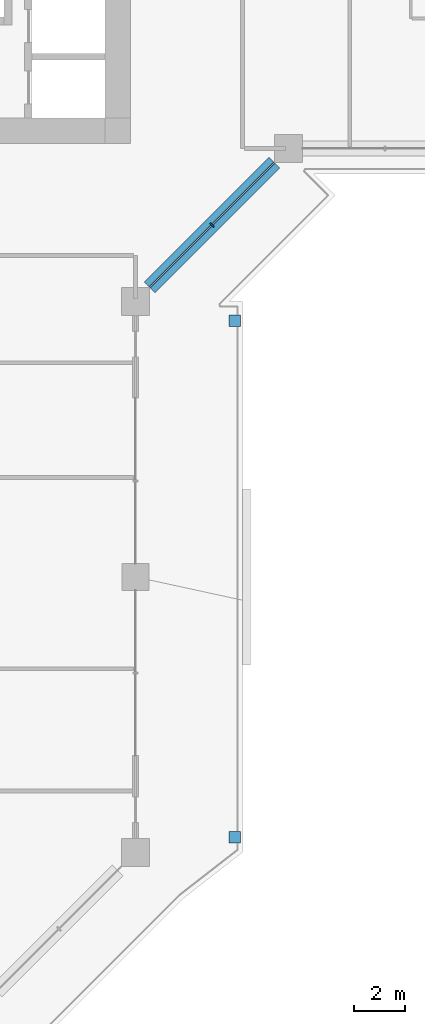
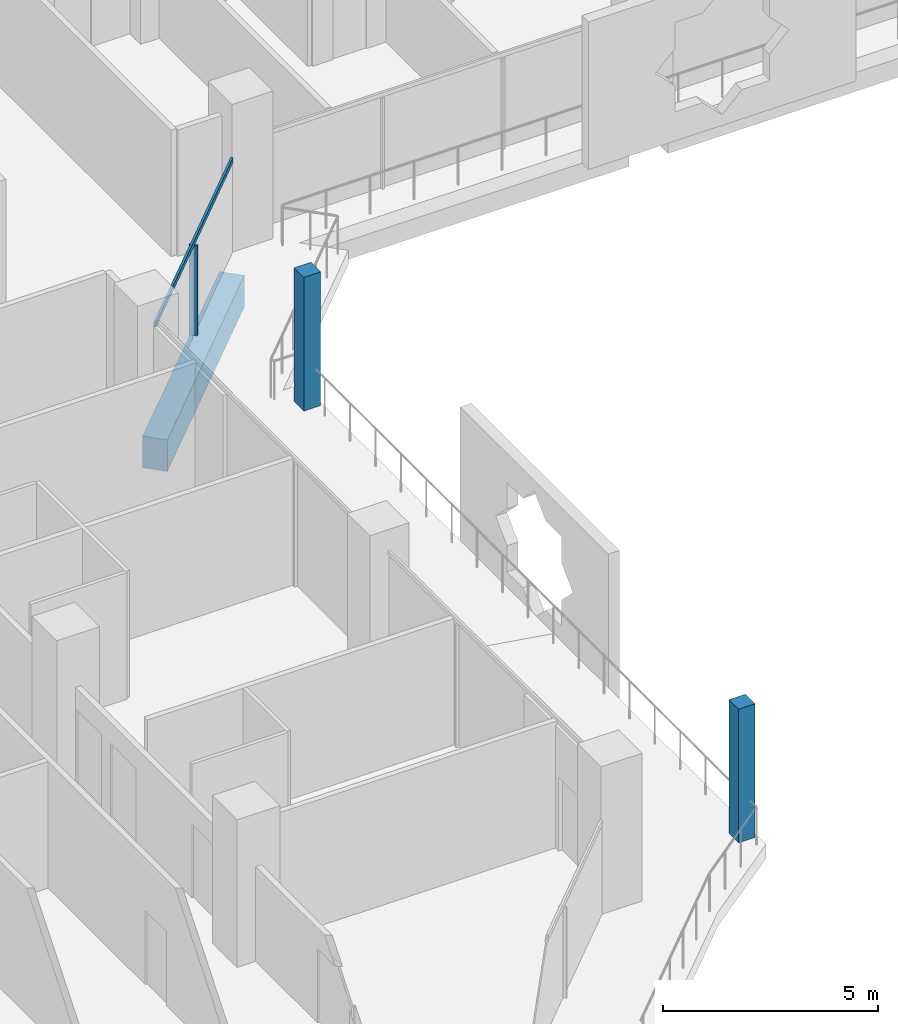
# One storey, part 4 of 25: 4 members, 1 beam, 2 elements without a shape of their own.
"""IFC4 building model written with IfcOpenShell, lengths in metres."""

from ifc_helpers import new_model, si_unit, direction, frame, origin, origin_2d, place, context, subcontext, project, spatial, rectangle, extrude, material, layer, layer_set, material_profile, profile_set, type_object, element, aggregate, save


model = new_model("IFC4")

# Units and contexts
model_context = context("Model", 3, precision=1e-05, world=origin(), true_north=direction((0.0, 1.0)))
body_context = subcontext(model_context, "Body", "Model", "MODEL_VIEW")
ifc_project = project(units=[si_unit("LENGTHUNIT", "METRE"), si_unit("AREAUNIT", "SQUARE_METRE"), si_unit("VOLUMEUNIT", "CUBIC_METRE"), si_unit("PLANEANGLEUNIT", "RADIAN"), si_unit("MASSUNIT", "GRAM", prefix="KILO")], contexts=[model_context])

# Site, building, storey
site_placement = place(None, origin())
site = spatial("IfcSite", under=ifc_project, at=site_placement, CompositionType="ELEMENT")
building_placement = place(site_placement, origin())
building = spatial("IfcBuilding", under=site, at=building_placement, Name="Kawkab Arch Medical Tower", CompositionType="ELEMENT")
storey_placement = place(building_placement, frame((0.0, 0.0, 111.39990234375)))
storey = spatial("IfcBuildingStorey", under=building, at=storey_placement, Name="L25", CompositionType="ELEMENT", Elevation=111.39990234375)

# Curtain wall, members
ifc_material_1 = material(Name="Bronze anodised aluminium curtain wall frame", Category="aluminium")
ifc_layer_1 = layer(ifc_material_1, 0.159912109375)
ifc_layer_set_1 = layer_set([ifc_layer_1], Name="Bronze anodised aluminium curtain wall frame")
curtain_wall_type_1 = type_object("IfcCurtainWallType", Name="CW2 chamfer curtain wall", PredefinedType="NOTDEFINED", material=ifc_layer_set_1)
placement = place(storey_placement, origin())
curtain_wall_1 = element("IfcCurtainWall", 1, at=placement, inside=storey, type_object=curtain_wall_type_1, Name="CW2 Chamfer curtain wall R06", PredefinedType="NOTDEFINED")
ifc_material_2 = material(Name="Bronze anodised aluminium curtain wall frame", Category="aluminium")
ifc_material_profile_1 = material_profile(ifc_material_2, rectangle(XDim=0.199951171875, YDim=0.06005859375, at=origin_2d()), Name="AL 60x200")
ifc_profile_set_1 = profile_set([ifc_material_profile_1], Name="Bronze anodised aluminium curtain wall frame")
member_type_1 = type_object("IfcMemberType", Name="CW2 mullion 60 x 200", PredefinedType="MULLION", material=ifc_profile_set_1)
member_1_placement = place(storey_placement, frame((28.199951171875, -28.199951171875, 0.0), z_axis=(0.0, 0.0, 1.0), x_axis=(-0.707106781187, 0.707106781187, 0.0)))
member_1 = element("IfcMember", 2, at=member_1_placement, type_object=member_type_1, Name="CW2 mullion 1.1", PredefinedType="MULLION", context=body_context, shape_type="SweptSolid", body=[
    extrude(rectangle(XDim=0.199951171875, YDim=0.06005859375, at=origin_2d()), origin(), (0.0, 0.0, 1.0), 2.56005859375),
])
ifc_material_3 = material(Name="Bronze anodised aluminium curtain wall frame", Category="aluminium")
ifc_material_profile_2 = material_profile(ifc_material_3, rectangle(XDim=0.06005859375, YDim=0.139892578125, at=origin_2d()), Name="AL 60x140")
ifc_profile_set_2 = profile_set([ifc_material_profile_2], Name="Bronze anodised aluminium curtain wall frame")
member_type_2 = type_object("IfcMemberType", Name="CW2 transom 140 x 60", PredefinedType="USERDEFINED", material=ifc_profile_set_2)
member_2_placement = place(storey_placement, frame((25.75, -30.64990234375, 2.630126953125), z_axis=(0.707106781187, 0.707106781187, 0.0), x_axis=(-0.707106781187, 0.707106781187, 0.0)))
member_2 = element("IfcMember", 3, at=member_2_placement, type_object=member_type_2, Name="CW2 transom 1", ObjectType="TRANSOM", PredefinedType="USERDEFINED", context=body_context, shape_type="SweptSolid", body=[
    extrude(rectangle(XDim=0.06005859375, YDim=0.139892578125, at=origin_2d()), origin(), (0.0, 0.0, 1.0), 6.929443359375),
])
aggregate(curtain_wall_1, [member_2, member_1])

ifc_material_4 = material(Name="Bronze anodised aluminium climber frame, planted", Category="aluminium")
ifc_layer_2 = layer(ifc_material_4, 0.449951171875)
ifc_layer_set_2 = layer_set([ifc_layer_2], Name="Bronze anodised aluminium climber frame, planted")
curtain_wall_type_2 = type_object("IfcCurtainWallType", Name="Planted climber frame", PredefinedType="NOTDEFINED", material=ifc_layer_set_2)
curtain_wall_2 = element("IfcCurtainWall", 4, at=placement, inside=storey, type_object=curtain_wall_type_2, Name="Planted climber frame L25", PredefinedType="NOTDEFINED")
ifc_material_5 = material(Name="Bronze anodised aluminium climber frame, planted", Category="aluminium")
ifc_material_profile_3 = material_profile(ifc_material_5, rectangle(XDim=0.449951171875, YDim=0.449951171875, at=origin_2d()), Name="Post 450x450")
ifc_profile_set_3 = profile_set([ifc_material_profile_3], Name="Bronze anodised aluminium climber frame, planted")
member_type_3 = type_object("IfcMemberType", Name="Planted climber post 450 x 450", PredefinedType="MULLION", material=ifc_profile_set_3)
member_3_placement = place(storey_placement, frame((29.10009765625, -31.949951171875, 0.0), z_axis=(0.0, 0.0, 1.0), x_axis=(1.0, 0.0, 0.0)))
member_3 = element("IfcMember", 5, at=member_3_placement, type_object=member_type_3, Name="Planted climber post L25.LOG-01-01.1", PredefinedType="MULLION", context=body_context, shape_type="SweptSolid", body=[
    extrude(rectangle(XDim=0.449951171875, YDim=0.449951171875, at=origin_2d()), origin(), (0.0, 0.0, 1.0), 3.800048828125),
])
member_4_placement = place(storey_placement, frame((29.10009765625, -52.202880859375, 0.0), z_axis=(0.0, 0.0, 1.0), x_axis=(1.0, 0.0, 0.0)))
member_4 = element("IfcMember", 6, at=member_4_placement, type_object=member_type_3, Name="Planted climber post L25.LOG-01-01.2", PredefinedType="MULLION", context=body_context, shape_type="SweptSolid", body=[
    extrude(rectangle(XDim=0.449951171875, YDim=0.449951171875, at=origin_2d()), origin(), (0.0, 0.0, 1.0), 3.800048828125),
])
aggregate(curtain_wall_2, [member_3, member_4])

# Beam
ifc_material_6 = material(Name="Concrete C55/67", Category="concrete")
ifc_material_profile_4 = material_profile(ifc_material_6, rectangle(XDim=0.60009765625, YDim=0.89990234375, at=origin_2d()), Name="RC 600x900")
ifc_profile_set_4 = profile_set([ifc_material_profile_4], Name="Concrete C55/67")
beam_type = type_object("IfcBeamType", Name="RC 600x900 beam C55/67", PredefinedType="BEAM", material=ifc_profile_set_4)
beam_placement = place(storey_placement, frame((30.64990234375, -25.75, -1.0498046875), z_axis=(-0.707106781187, -0.707106781187, 0.0), x_axis=(0.707106781187, -0.707106781187, 0.0)))
element("IfcBeam", 7, at=beam_placement, inside=storey, type_object=beam_type, Name="Overhang edge beam L25-04", PredefinedType="BEAM", context=body_context, shape_type="SweptSolid", body=[
    extrude(rectangle(XDim=0.60009765625, YDim=0.89990234375, at=origin_2d()), origin(), (0.0, 0.0, 1.0), 6.929443359375),
])

save(model, "model.ifc")
